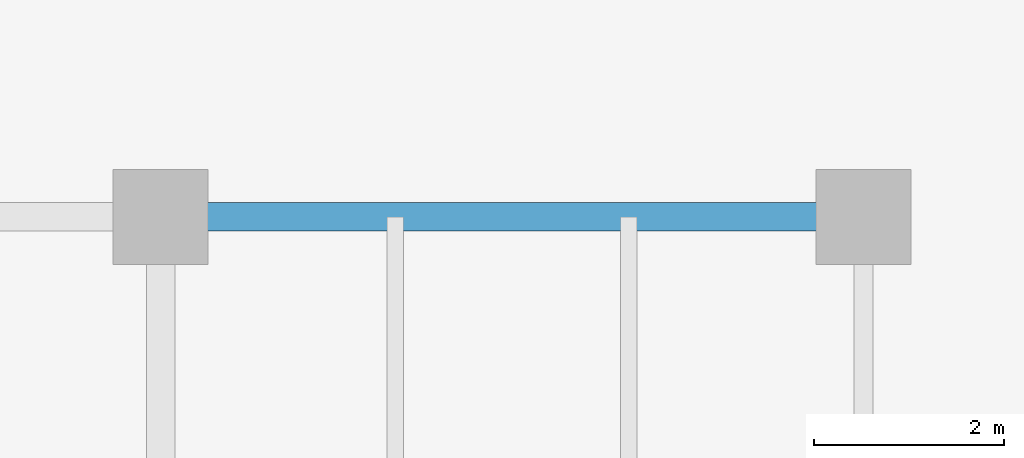
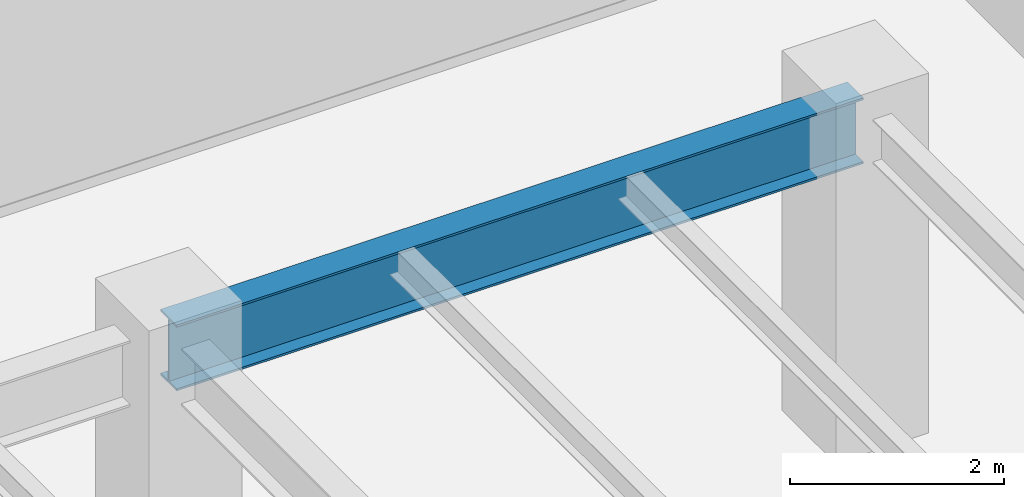
# One storey, part 21 of 35: 1 beam.
"""IFC4 building model written with IfcOpenShell, lengths in metres."""

from ifc_helpers import new_model, si_unit, direction, frame, origin, origin_2d, place, context, subcontext, project, spatial, i_section, extrude, source, transform, mapped, material, material_profile, profile_set, type_object, type_shapes, element, save


model = new_model("IFC4")

# Units and contexts
model_context = context("Model", 3, precision=1e-05, world=origin(), true_north=direction((0.0, 1.0)))
body_context = subcontext(model_context, "Body", "Model", "MODEL_VIEW")
ifc_project = project(units=[si_unit("LENGTHUNIT", "METRE"), si_unit("AREAUNIT", "SQUARE_METRE"), si_unit("VOLUMEUNIT", "CUBIC_METRE"), si_unit("PLANEANGLEUNIT", "RADIAN"), si_unit("MASSUNIT", "GRAM", prefix="KILO")], contexts=[model_context])

# Site, building, storey
site_placement = place(None, origin())
site = spatial("IfcSite", under=ifc_project, at=site_placement, CompositionType="ELEMENT")
building_placement = place(site_placement, origin())
building = spatial("IfcBuilding", under=site, at=building_placement, Name="Haelvirn Gate Laboratories", CompositionType="ELEMENT")
storey_placement = place(building_placement, frame((0.0, 0.0, 90.800048828125)))
storey = spatial("IfcBuildingStorey", under=building, at=storey_placement, Name="L22", CompositionType="ELEMENT", Elevation=90.800048828125)

# Beam
ifc_material = material(Name="Steel SM355", Category="steel")
ifc_material_profile = material_profile(ifc_material, i_section(OverallWidth=0.300048828125, OverallDepth=0.75, WebThickness=0.013916015625, FlangeThickness=0.02392578125, at=origin_2d()), Name="H-750x300x14x24")
ifc_profile_set = profile_set([ifc_material_profile], Name="Steel SM355")
beam_type = type_object("IfcBeamType", Name="BM-G-750", PredefinedType="BEAM", material=ifc_profile_set)
shared_shape = source(origin(), body_context, "Body", "SweptSolid", [
    extrude(i_section(OverallWidth=0.300048828125, OverallDepth=0.75, WebThickness=0.013916015625, FlangeThickness=0.02392578125, at=origin_2d()), origin(), (0.0, 0.0, 1.0), 7.39990234375),
])
type_shapes(beam_type, [shared_shape])
beam_placement = place(storey_placement, frame((60.0, 41.60009765625, 3.405029296875), z_axis=(1.0, 0.0, 0.0), x_axis=(0.0, 1.0, 0.0)))
element("IfcBeam", 1, at=beam_placement, inside=storey, type_object=beam_type, Name="L22 Primary Girder Y41.6 (60.0-67.4)", PredefinedType="BEAM", context=body_context, shape_type="MappedRepresentation", body=[
    mapped(shared_shape, transform((0.0, 0.0, 0.0), scale=1.0)),
])

save(model, "model.ifc")
